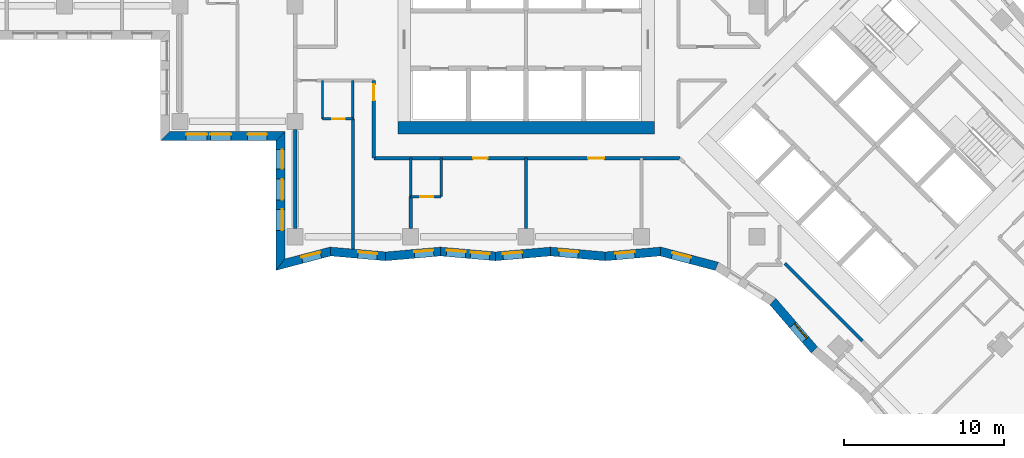
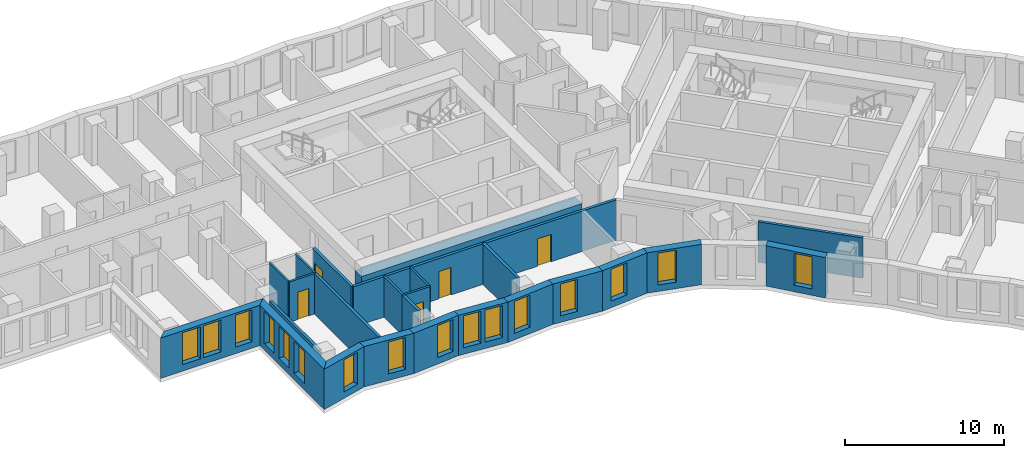
# One storey, part 2 of 12: 25 walls, 16 windows, 5 doors, 21 openings.
"""IFC4 building model written with IfcOpenShell, lengths in metres."""

import ifcopenshell
import ifcopenshell.guid

model = None  # the IFC model being written
_history = None  # IfcOwnerHistory: only IFC2X3 demands one
_inside = {}  # id of a spatial element -> (the spatial element, [elements in it])
_under = {}  # id of a project, library or spatial element -> (it, [spatial elements below it])
_declared = {}  # id of a project -> (the project, [libraries it declares])
_typed = {}  # id of a type object -> (the type object, [elements of that type])
_made_of = {}  # id of a material, layer set ... -> (it, [elements and type objects made of it])


def new_model(schema):
    """Start an empty IFC model of exactly this schema.

    Asked for "IFC4X3", IfcOpenShell would pick the latest addendum, in which some entities
    have other attributes; the version numbers below select the first issue.
    IFC2X3 requires an IfcOwnerHistory on every rooted entity: one is made here for all.
    """
    global model, _history
    if schema == "IFC4X3":
        model = ifcopenshell.file(schema_version=(4, 3, 0, 0))
    else:
        model = ifcopenshell.file(schema=schema)
    _inside.clear()
    _under.clear()
    _declared.clear()
    _typed.clear()
    _made_of.clear()
    _history = None
    if model.schema == "IFC2X3":
        org = make("IfcOrganization", Name="unknown")
        user = make(
            "IfcPersonAndOrganization",
            ThePerson=make("IfcPerson", FamilyName="unknown"),
            TheOrganization=org,
        )
        app = make(
            "IfcApplication",
            ApplicationDeveloper=org,
            Version="unknown",
            ApplicationFullName="unknown",
            ApplicationIdentifier="unknown",
        )
        _history = make(
            "IfcOwnerHistory",
            OwningUser=user,
            OwningApplication=app,
            ChangeAction="ADDED",
            CreationDate=0,
        )
    return model


def make(cls, **values):
    """One entity of the class cls with the attributes given. An attribute that is None is left unset."""
    return model.create_entity(
        cls, **{name: value for name, value in values.items() if value is not None}
    )


def rooted(cls, **values):
    """An entity with a GlobalId (a new one), such as an element, a storey or a relation."""
    return make(cls, GlobalId=ifcopenshell.guid.new(), OwnerHistory=_history, **values)


def si_unit(unit_type, name, prefix=None):
    """IfcSIUnit, for example si_unit("LENGTHUNIT", "METRE", prefix="MILLI")."""
    return make("IfcSIUnit", UnitType=unit_type, Prefix=prefix, Name=name)


def assignment(units):
    """IfcUnitAssignment: the units of a project."""
    return None if units is None else make("IfcUnitAssignment", Units=units)


def point(xyz):
    """IfcCartesianPoint."""
    return None if xyz is None else make("IfcCartesianPoint", Coordinates=xyz)


def direction(xyz):
    """IfcDirection."""
    return None if xyz is None else make("IfcDirection", DirectionRatios=xyz)


def frame(location, z_axis=None, x_axis=None):
    """IfcAxis2Placement3D, a coordinate frame: its origin and axes. An axis left out is left unset."""
    return make(
        "IfcAxis2Placement3D",
        Location=point(location),
        Axis=direction(z_axis),
        RefDirection=direction(x_axis),
    )


def frame_2d(location, x_axis=None):
    """IfcAxis2Placement2D, a coordinate frame in the plane: its origin and x axis."""
    return make(
        "IfcAxis2Placement2D", Location=point(location), RefDirection=direction(x_axis)
    )


def origin():
    """The frame at (0, 0, 0) with its axes left unset."""
    return frame((0.0, 0.0, 0.0))


def place(relative_to, where):
    """IfcLocalPlacement: puts the frame where relative to a parent placement (None: the world)."""
    return make(
        "IfcLocalPlacement", PlacementRelTo=relative_to, RelativePlacement=where
    )


def context(
    kind, dimensions, precision=None, world=None, true_north=None, identifier=None
):
    """IfcGeometricRepresentationContext, for example the 3D "Model" context."""
    return make(
        "IfcGeometricRepresentationContext",
        ContextIdentifier=identifier,
        ContextType=kind,
        CoordinateSpaceDimension=dimensions,
        Precision=precision,
        WorldCoordinateSystem=world,
        TrueNorth=true_north,
    )


def subcontext(parent, identifier, kind, view, scale=None):
    """IfcGeometricRepresentationSubContext, for example "Body" below "Model"."""
    return make(
        "IfcGeometricRepresentationSubContext",
        ContextIdentifier=identifier,
        ContextType=kind,
        ParentContext=parent,
        TargetScale=scale,
        TargetView=view,
    )


def project(units=None, contexts=None):
    """IfcProject with its units and contexts."""
    return rooted(
        "IfcProject",
        Name="project",
        RepresentationContexts=contexts,
        UnitsInContext=assignment(units),
    )


def spatial(cls, under=None, at=None, **own):
    """A site, building, storey or space (cls), placed at a placement, below another one or the project."""
    s = rooted(cls, ObjectPlacement=at, **own)
    if under is not None:
        _under.setdefault(under.id(), (under, []))[1].append(s)
    return s


def polyline(points):
    """IfcPolyline through the points."""
    return make("IfcPolyline", Points=[point(p) for p in points])


def profile(cls, at=None, kind="AREA", **sizes):
    """A parametric profile (cls). Its sizes go by their IFC names, for example OverallWidth=200.0."""
    return make(cls, ProfileType=kind, Position=at, **sizes)


def rectangle(**sizes):
    """IfcRectangleProfileDef."""
    return profile("IfcRectangleProfileDef", **sizes)


def outline(outer, holes=None, kind="AREA"):
    """IfcArbitraryClosedProfileDef: a profile drawn as a closed curve; with holes, ...WithVoids."""
    if holes is None:
        return make("IfcArbitraryClosedProfileDef", ProfileType=kind, OuterCurve=outer)
    return make(
        "IfcArbitraryProfileDefWithVoids",
        ProfileType=kind,
        OuterCurve=outer,
        InnerCurves=holes,
    )


def extrude(swept, where, along, depth):
    """IfcExtrudedAreaSolid: the profile swept, set in the frame where, extruded along a direction by depth."""
    return make(
        "IfcExtrudedAreaSolid",
        SweptArea=swept,
        Position=where,
        ExtrudedDirection=direction(along),
        Depth=depth,
    )


def shape(context_of_items, identifier, shape_type, items):
    """IfcShapeRepresentation: the items that make up one representation, for example the "Body"."""
    return make(
        "IfcShapeRepresentation",
        ContextOfItems=context_of_items,
        RepresentationIdentifier=identifier,
        RepresentationType=shape_type,
        Items=items,
    )


def material(Name=None, Category=None):
    """IfcMaterial."""
    return make("IfcMaterial", Name=Name, Category=Category)


def layer(
    of_material, thickness, ventilated=None, Name=None, Category=None, Priority=None
):
    """IfcMaterialLayer: one layer of a wall or slab, of a material (None: an air gap)."""
    return make(
        "IfcMaterialLayer",
        Material=of_material,
        LayerThickness=thickness,
        IsVentilated=ventilated,
        Name=Name,
        Category=Category,
        Priority=Priority,
    )


def layer_set(layers, Name=None):
    """IfcMaterialLayerSet."""
    return make("IfcMaterialLayerSet", MaterialLayers=layers, LayerSetName=Name)


def made_of(thing, what):
    """Note that an element or type object is made of a material, layer set ...; save() writes the relation."""
    if what is not None:
        _made_of.setdefault(what.id(), (what, []))[1].append(thing)
    return thing


def type_object(cls, material=None, **own):
    """A type object (cls), such as IfcWallType, which elements share."""
    return made_of(rooted(cls, **own), material)


def element(
    cls,
    number,
    at=None,
    inside=None,
    cuts=None,
    type_object=None,
    material=None,
    context=None,
    identifier="Body",
    shape_type=None,
    held_by="IfcProductDefinitionShape",
    body=None,
    shapes=None,
    **own,
):
    """One element of the class cls, such as IfcWall. Its Tag is "e" and its number.

    at: its placement. inside: the storey or other place that contains it. cuts: it is an
    opening in that element (IfcRelVoidsElement). A single representation is given by context,
    identifier, shape_type and body (its items); several are given by shapes. held_by: the class
    of the entity that holds the representations. save() writes the other relations.
    """
    e = rooted(cls, Tag="e%d" % number, ObjectPlacement=at, **own)
    if body is not None:
        shapes = [shape(context, identifier, shape_type, body)]
    if shapes is not None:
        e.Representation = make(held_by, Representations=shapes)
    if inside is not None:
        _inside.setdefault(inside.id(), (inside, []))[1].append(e)
    if cuts is not None:
        rooted(
            "IfcRelVoidsElement", RelatingBuildingElement=cuts, RelatedOpeningElement=e
        )
    if type_object is not None:
        _typed.setdefault(type_object.id(), (type_object, []))[1].append(e)
    return made_of(e, material)


def fill(opening, filler):
    """IfcRelFillsElement: the door or window that sits in an opening."""
    return rooted(
        "IfcRelFillsElement",
        RelatingOpeningElement=opening,
        RelatedBuildingElement=filler,
    )


def aggregate(whole, parts):
    """IfcRelAggregates: a whole, such as a stair, and the parts it consists of."""
    return rooted("IfcRelAggregates", RelatingObject=whole, RelatedObjects=parts)


def save(model, path):
    """Write the relations noted so far, then the file.

    IfcRelAggregates (storeys below a building ...), IfcRelContainedInSpatialStructure (elements
    in a storey), IfcRelDefinesByType, IfcRelAssociatesMaterial and IfcRelDeclares: one each for
    every whole, place, type object, material and project.
    """
    for whole, parts in _under.values():
        aggregate(whole, parts)
    for where, things in _inside.values():
        rooted(
            "IfcRelContainedInSpatialStructure",
            RelatedElements=things,
            RelatingStructure=where,
        )
    for kind, things in _typed.values():
        rooted("IfcRelDefinesByType", RelatedObjects=things, RelatingType=kind)
    for what, things in _made_of.values():
        rooted("IfcRelAssociatesMaterial", RelatedObjects=things, RelatingMaterial=what)
    for by, libraries in _declared.values():
        rooted("IfcRelDeclares", RelatingContext=by, RelatedDefinitions=libraries)
    model.write(path)


model = new_model("IFC4")

# Units and contexts
model_context = context("Model", 3, precision=1e-05, world=origin(), true_north=direction((0.0, 1.0)))
body_context = subcontext(model_context, "Body", "Model", "MODEL_VIEW")
ifc_project = project(units=[si_unit("LENGTHUNIT", "METRE"), si_unit("AREAUNIT", "SQUARE_METRE"), si_unit("VOLUMEUNIT", "CUBIC_METRE"), si_unit("PLANEANGLEUNIT", "RADIAN"), si_unit("MASSUNIT", "GRAM", prefix="KILO")], contexts=[model_context])

# Site, building, storey
site_placement = place(None, origin())
site = spatial("IfcSite", under=ifc_project, at=site_placement, CompositionType="ELEMENT")
building_placement = place(site_placement, origin())
building = spatial("IfcBuilding", under=site, at=building_placement, Name="Windrow Commons", CompositionType="ELEMENT")
storey_placement = place(building_placement, frame((0.0, 0.0, 81.2)))
storey = spatial("IfcBuildingStorey", under=building, at=storey_placement, Name="L21", CompositionType="ELEMENT", Elevation=81.2)

# Wall, openings, windows
ifc_material_1 = material(Name="Brick masonry, red clay brick", Category="masonry")
ifc_layer_1 = layer(ifc_material_1, 0.55)
ifc_layer_set_1 = layer_set([ifc_layer_1], Name="Brick facade wall 550")
wall_type_1 = type_object("IfcWallType", Name="Brick facade wall 550", PredefinedType="SOLIDWALL", material=ifc_layer_set_1)
wall_1_placement = place(storey_placement, frame((42.275, 49.475, 0.0), z_axis=(0.0, 0.0, 1.0), x_axis=(1.0, 0.0, 0.0)))
wall_1 = element("IfcWall", 1, at=wall_1_placement, inside=storey, type_object=wall_type_1, Name="Brick facade wall L21 42", PredefinedType="SOLIDWALL", context=body_context, shape_type="SweptSolid", body=[
    extrude(outline(polyline([(-0.275, -0.275), (6.925, -0.275), (7.475, 0.275), (0.275, 0.275), (-0.275, -0.275)])), origin(), (0.0, 0.0, 1.0), 3.1),
])
opening_1_placement = place(wall_1_placement, frame((1.325, 0.0, 0.5)))
opening_1 = element("IfcOpeningElement", 2, at=opening_1_placement, cuts=wall_1, Name="Opening W1P", PredefinedType="OPENING", context=body_context, shape_type="SweptSolid", body=[
    extrude(rectangle(XDim=1.3, YDim=2.45, at=frame_2d((0.65, 1.225))), frame((0.0, 0.285, 0.0), z_axis=(0.0, -1.0, 0.0), x_axis=(1.0, 0.0, 0.0)), (0.0, 0.0, 1.0), 0.57),
])
opening_2_placement = place(wall_1_placement, frame((2.825, 0.0, 0.5)))
opening_2 = element("IfcOpeningElement", 3, at=opening_2_placement, cuts=wall_1, Name="Opening W1P", PredefinedType="OPENING", context=body_context, shape_type="SweptSolid", body=[
    extrude(rectangle(XDim=1.3, YDim=2.45, at=frame_2d((0.65, 1.225))), frame((0.0, 0.285, 0.0), z_axis=(0.0, -1.0, 0.0), x_axis=(1.0, 0.0, 0.0)), (0.0, 0.0, 1.0), 0.57),
])
opening_3_placement = place(wall_1_placement, frame((5.1625, 0.0, 0.5)))
opening_3 = element("IfcOpeningElement", 4, at=opening_3_placement, cuts=wall_1, Name="Opening W7D", PredefinedType="OPENING", context=body_context, shape_type="SweptSolid", body=[
    extrude(rectangle(XDim=1.2, YDim=2.45, at=frame_2d((0.6, 1.225))), frame((0.0, 0.285, 0.0), z_axis=(0.0, -1.0, 0.0), x_axis=(1.0, 0.0, 0.0)), (0.0, 0.0, 1.0), 0.57),
])
ifc_material_2 = material(Name="Clear float glass in anodised aluminium frame", Category="aluminium")
window_type_1 = type_object("IfcWindowType", Name="Window W1P pair 1300x2450", PartitioningType="SINGLE_PANEL", PredefinedType="WINDOW", material=ifc_material_2)
window_1_placement = place(opening_1_placement, origin())
window_1 = element("IfcWindow", 5, at=window_1_placement, inside=storey, type_object=window_type_1, Name="Window L21 42.1A", OverallHeight=2.45, OverallWidth=1.3, PartitioningType="SINGLE_PANEL", PredefinedType="WINDOW", context=body_context, shape_type="SweptSolid", body=[
    extrude(rectangle(XDim=1.3, YDim=2.45, at=frame_2d((0.65, 1.225))), frame((0.0, 0.155, 0.0), z_axis=(0.0, -1.0, 0.0), x_axis=(1.0, 0.0, 0.0)), (0.0, 0.0, 1.0), 0.06),
])
fill(opening_1, window_1)
window_2_placement = place(opening_2_placement, origin())
window_2 = element("IfcWindow", 6, at=window_2_placement, inside=storey, type_object=window_type_1, Name="Window L21 42.1B", OverallHeight=2.45, OverallWidth=1.3, PartitioningType="SINGLE_PANEL", PredefinedType="WINDOW", context=body_context, shape_type="SweptSolid", body=[
    extrude(rectangle(XDim=1.3, YDim=2.45, at=frame_2d((0.65, 1.225))), frame((0.0, 0.155, 0.0), z_axis=(0.0, -1.0, 0.0), x_axis=(1.0, 0.0, 0.0)), (0.0, 0.0, 1.0), 0.06),
])
fill(opening_2, window_2)
ifc_material_3 = material(Name="Clear float glass in anodised aluminium frame", Category="aluminium")
window_type_2 = type_object("IfcWindowType", Name="Window W7 notch 1200x2450", PartitioningType="SINGLE_PANEL", PredefinedType="WINDOW", material=ifc_material_3)
window_3_placement = place(opening_3_placement, origin())
window_3 = element("IfcWindow", 7, at=window_3_placement, inside=storey, type_object=window_type_2, Name="Window L21 42.2", OverallHeight=2.45, OverallWidth=1.2, PartitioningType="SINGLE_PANEL", PredefinedType="WINDOW", context=body_context, shape_type="SweptSolid", body=[
    extrude(rectangle(XDim=1.2, YDim=2.45, at=frame_2d((0.6, 1.225))), frame((0.0, 0.155, 0.0), z_axis=(0.0, -1.0, 0.0), x_axis=(1.0, 0.0, 0.0)), (0.0, 0.0, 1.0), 0.06),
])
fill(opening_3, window_3)

wall_2_placement = place(storey_placement, frame((49.475, 49.475, 0.0), z_axis=(0.0, 0.0, 1.0), x_axis=(0.0, -1.0, 0.0)))
wall_2 = element("IfcWall", 8, at=wall_2_placement, inside=storey, type_object=wall_type_1, Name="Brick facade wall L21 43", PredefinedType="SOLIDWALL", context=body_context, shape_type="SweptSolid", body=[
    extrude(outline(polyline([(0.275, -0.275), (8.375, -0.275), (7.6617, 0.275), (-0.275, 0.275), (0.275, -0.275)])), origin(), (0.0, 0.0, 1.0), 3.1),
])
opening_4_placement = place(wall_2_placement, frame((2.675, 0.0, 0.5)))
opening_4 = element("IfcOpeningElement", 9, at=opening_4_placement, cuts=wall_2, Name="Opening W1P", PredefinedType="OPENING", context=body_context, shape_type="SweptSolid", body=[
    extrude(rectangle(XDim=1.3, YDim=2.45, at=frame_2d((0.65, 1.225))), frame((0.0, 0.285, 0.0), z_axis=(0.0, -1.0, 0.0), x_axis=(1.0, 0.0, 0.0)), (0.0, 0.0, 1.0), 0.57),
])
opening_5_placement = place(wall_2_placement, frame((4.575, 0.0, 0.5)))
opening_5 = element("IfcOpeningElement", 10, at=opening_5_placement, cuts=wall_2, Name="Opening W1P", PredefinedType="OPENING", context=body_context, shape_type="SweptSolid", body=[
    extrude(rectangle(XDim=1.3, YDim=2.45, at=frame_2d((0.65, 1.225))), frame((0.0, 0.285, 0.0), z_axis=(0.0, -1.0, 0.0), x_axis=(1.0, 0.0, 0.0)), (0.0, 0.0, 1.0), 0.57),
])
opening_6_placement = place(wall_2_placement, frame((0.8375, 0.0, 0.5)))
opening_6 = element("IfcOpeningElement", 11, at=opening_6_placement, cuts=wall_2, Name="Opening W7D", PredefinedType="OPENING", context=body_context, shape_type="SweptSolid", body=[
    extrude(rectangle(XDim=1.2, YDim=2.45, at=frame_2d((0.6, 1.225))), frame((0.0, 0.285, 0.0), z_axis=(0.0, -1.0, 0.0), x_axis=(1.0, 0.0, 0.0)), (0.0, 0.0, 1.0), 0.57),
])
window_4_placement = place(opening_4_placement, origin())
window_4 = element("IfcWindow", 12, at=window_4_placement, inside=storey, type_object=window_type_1, Name="Window L21 43.1A", OverallHeight=2.45, OverallWidth=1.3, PartitioningType="SINGLE_PANEL", PredefinedType="WINDOW", context=body_context, shape_type="SweptSolid", body=[
    extrude(rectangle(XDim=1.3, YDim=2.45, at=frame_2d((0.65, 1.225))), frame((0.0, 0.155, 0.0), z_axis=(0.0, -1.0, 0.0), x_axis=(1.0, 0.0, 0.0)), (0.0, 0.0, 1.0), 0.06),
])
fill(opening_4, window_4)
window_5_placement = place(opening_5_placement, origin())
window_5 = element("IfcWindow", 13, at=window_5_placement, inside=storey, type_object=window_type_1, Name="Window L21 43.1B", OverallHeight=2.45, OverallWidth=1.3, PartitioningType="SINGLE_PANEL", PredefinedType="WINDOW", context=body_context, shape_type="SweptSolid", body=[
    extrude(rectangle(XDim=1.3, YDim=2.45, at=frame_2d((0.65, 1.225))), frame((0.0, 0.155, 0.0), z_axis=(0.0, -1.0, 0.0), x_axis=(1.0, 0.0, 0.0)), (0.0, 0.0, 1.0), 0.06),
])
fill(opening_5, window_5)
window_6_placement = place(opening_6_placement, origin())
window_6 = element("IfcWindow", 14, at=window_6_placement, inside=storey, type_object=window_type_2, Name="Window L21 43.2", OverallHeight=2.45, OverallWidth=1.2, PartitioningType="SINGLE_PANEL", PredefinedType="WINDOW", context=body_context, shape_type="SweptSolid", body=[
    extrude(rectangle(XDim=1.2, YDim=2.45, at=frame_2d((0.6, 1.225))), frame((0.0, 0.155, 0.0), z_axis=(0.0, -1.0, 0.0), x_axis=(1.0, 0.0, 0.0)), (0.0, 0.0, 1.0), 0.06),
])
fill(opening_6, window_6)

# Wall, opening, window
wall_3_placement = place(storey_placement, frame((49.475, 41.4567, 0.0), z_axis=(0.0, 0.0, 1.0), x_axis=(0.9671322544, 0.2542738729, 0.0)))
wall_3 = element("IfcWall", 15, at=wall_3_placement, inside=storey, type_object=wall_type_1, Name="Brick facade wall L21 44", PredefinedType="SOLIDWALL", context=body_context, shape_type="SweptSolid", body=[
    extrude(outline(polyline([(-0.3567, -0.275), (3.1826, -0.275), (3.2783, 0.275), (0.3567, 0.275), (-0.3567, -0.275)])), origin(), (0.0, 0.0, 1.0), 3.1),
])
opening_7_placement = place(wall_3_placement, frame((1.3934, 0.0, 0.5)))
opening_7 = element("IfcOpeningElement", 16, at=opening_7_placement, cuts=wall_3, Name="Opening W7D", PredefinedType="OPENING", context=body_context, shape_type="SweptSolid", body=[
    extrude(rectangle(XDim=1.2, YDim=2.45, at=frame_2d((0.6, 1.225))), frame((0.0, 0.285, 0.0), z_axis=(0.0, -1.0, 0.0), x_axis=(1.0, 0.0, 0.0)), (0.0, 0.0, 1.0), 0.57),
])
window_7_placement = place(opening_7_placement, origin())
window_7 = element("IfcWindow", 17, at=window_7_placement, inside=storey, type_object=window_type_2, Name="Window L21 44.1", OverallHeight=2.45, OverallWidth=1.2, PartitioningType="SINGLE_PANEL", PredefinedType="WINDOW", context=body_context, shape_type="SweptSolid", body=[
    extrude(rectangle(XDim=1.2, YDim=2.45, at=frame_2d((0.6, 1.225))), frame((0.0, 0.155, 0.0), z_axis=(0.0, -1.0, 0.0), x_axis=(1.0, 0.0, 0.0)), (0.0, 0.0, 1.0), 0.06),
])
fill(opening_7, window_7)

wall_4_placement = place(storey_placement, frame((52.5992, 42.2781, 0.0), z_axis=(0.0, 0.0, 1.0), x_axis=(0.9961831061, -0.0872881385, 0.0)))
wall_4 = element("IfcWall", 18, at=wall_4_placement, inside=storey, type_object=wall_type_1, Name="Brick facade wall L21 45", PredefinedType="SOLIDWALL", context=body_context, shape_type="SweptSolid", body=[
    extrude(outline(polyline([(0.0478, -0.275), (3.4839, -0.275), (3.4357, 0.275), (-0.0478, 0.275), (0.0478, -0.275)])), origin(), (0.0, 0.0, 1.0), 3.1),
])
opening_8_placement = place(wall_4_placement, frame((1.7209, 0.0, 0.5)))
opening_8 = element("IfcOpeningElement", 19, at=opening_8_placement, cuts=wall_4, Name="Opening W7D", PredefinedType="OPENING", context=body_context, shape_type="SweptSolid", body=[
    extrude(rectangle(XDim=1.2, YDim=2.45, at=frame_2d((0.6, 1.225))), frame((0.0, 0.285, 0.0), z_axis=(0.0, -1.0, 0.0), x_axis=(1.0, 0.0, 0.0)), (0.0, 0.0, 1.0), 0.57),
])
window_8_placement = place(opening_8_placement, origin())
window_8 = element("IfcWindow", 20, at=window_8_placement, inside=storey, type_object=window_type_2, Name="Window L21 45.1", OverallHeight=2.45, OverallWidth=1.2, PartitioningType="SINGLE_PANEL", PredefinedType="WINDOW", context=body_context, shape_type="SweptSolid", body=[
    extrude(rectangle(XDim=1.2, YDim=2.45, at=frame_2d((0.6, 1.225))), frame((0.0, 0.155, 0.0), z_axis=(0.0, -1.0, 0.0), x_axis=(1.0, 0.0, 0.0)), (0.0, 0.0, 1.0), 0.06),
])
fill(opening_8, window_8)

wall_5_placement = place(storey_placement, frame((56.0458, 41.9761, 0.0), z_axis=(0.0, 0.0, 1.0), x_axis=(0.996181166, 0.0873102778, 0.0)))
wall_5 = element("IfcWall", 21, at=wall_5_placement, inside=storey, type_object=wall_type_1, Name="Brick facade wall L21 46", PredefinedType="SOLIDWALL", context=body_context, shape_type="SweptSolid", body=[
    extrude(outline(polyline([(-0.0241, -0.275), (3.4119, -0.275), (3.4601, 0.275), (0.0241, 0.275), (-0.0241, -0.275)])), origin(), (0.0, 0.0, 1.0), 3.1),
])
opening_9_placement = place(wall_5_placement, frame((1.7981, 0.0, 0.5)))
opening_9 = element("IfcOpeningElement", 22, at=opening_9_placement, cuts=wall_5, Name="Opening W7D", PredefinedType="OPENING", context=body_context, shape_type="SweptSolid", body=[
    extrude(rectangle(XDim=1.2, YDim=2.45, at=frame_2d((0.6, 1.225))), frame((0.0, 0.285, 0.0), z_axis=(0.0, -1.0, 0.0), x_axis=(1.0, 0.0, 0.0)), (0.0, 0.0, 1.0), 0.57),
])
window_9_placement = place(opening_9_placement, origin())
window_9 = element("IfcWindow", 23, at=window_9_placement, inside=storey, type_object=window_type_2, Name="Window L21 46.1", OverallHeight=2.45, OverallWidth=1.2, PartitioningType="SINGLE_PANEL", PredefinedType="WINDOW", context=body_context, shape_type="SweptSolid", body=[
    extrude(rectangle(XDim=1.2, YDim=2.45, at=frame_2d((0.6, 1.225))), frame((0.0, 0.155, 0.0), z_axis=(0.0, -1.0, 0.0), x_axis=(1.0, 0.0, 0.0)), (0.0, 0.0, 1.0), 0.06),
])
fill(opening_9, window_9)

# Wall, openings, windows
wall_6_placement = place(storey_placement, frame((59.4687, 42.2761, 0.0), z_axis=(0.0, 0.0, 1.0), x_axis=(0.996181166, -0.0873102778, 0.0)))
wall_6 = element("IfcWall", 24, at=wall_6_placement, inside=storey, type_object=wall_type_1, Name="Brick facade wall L21 47", PredefinedType="SOLIDWALL", context=body_context, shape_type="SweptSolid", body=[
    extrude(outline(polyline([(0.0241, -0.275), (3.4601, -0.275), (3.4119, 0.275), (-0.0241, 0.275), (0.0241, -0.275)])), origin(), (0.0, 0.0, 1.0), 3.1),
])
opening_10_placement = place(wall_6_placement, frame((0.369, 0.0, 0.5)))
opening_10 = element("IfcOpeningElement", 25, at=opening_10_placement, cuts=wall_6, Name="Opening W7D", PredefinedType="OPENING", context=body_context, shape_type="SweptSolid", body=[
    extrude(rectangle(XDim=1.2, YDim=2.45, at=frame_2d((0.6, 1.225))), frame((0.0, 0.285, 0.0), z_axis=(0.0, -1.0, 0.0), x_axis=(1.0, 0.0, 0.0)), (0.0, 0.0, 1.0), 0.57),
])
opening_11_placement = place(wall_6_placement, frame((1.8749, 0.0, 0.5)))
opening_11 = element("IfcOpeningElement", 26, at=opening_11_placement, cuts=wall_6, Name="Opening W7D", PredefinedType="OPENING", context=body_context, shape_type="SweptSolid", body=[
    extrude(rectangle(XDim=1.2, YDim=2.45, at=frame_2d((0.6, 1.225))), frame((0.0, 0.285, 0.0), z_axis=(0.0, -1.0, 0.0), x_axis=(1.0, 0.0, 0.0)), (0.0, 0.0, 1.0), 0.57),
])
window_10_placement = place(opening_10_placement, origin())
window_10 = element("IfcWindow", 27, at=window_10_placement, inside=storey, type_object=window_type_2, Name="Window L21 47.1", OverallHeight=2.45, OverallWidth=1.2, PartitioningType="SINGLE_PANEL", PredefinedType="WINDOW", context=body_context, shape_type="SweptSolid", body=[
    extrude(rectangle(XDim=1.2, YDim=2.45, at=frame_2d((0.6, 1.225))), frame((0.0, 0.155, 0.0), z_axis=(0.0, -1.0, 0.0), x_axis=(1.0, 0.0, 0.0)), (0.0, 0.0, 1.0), 0.06),
])
fill(opening_10, window_10)
window_11_placement = place(opening_11_placement, origin())
window_11 = element("IfcWindow", 28, at=window_11_placement, inside=storey, type_object=window_type_2, Name="Window L21 47.2", OverallHeight=2.45, OverallWidth=1.2, PartitioningType="SINGLE_PANEL", PredefinedType="WINDOW", context=body_context, shape_type="SweptSolid", body=[
    extrude(rectangle(XDim=1.2, YDim=2.45, at=frame_2d((0.6, 1.225))), frame((0.0, 0.155, 0.0), z_axis=(0.0, -1.0, 0.0), x_axis=(1.0, 0.0, 0.0)), (0.0, 0.0, 1.0), 0.06),
])
fill(opening_11, window_11)

# Wall, opening, window
wall_7_placement = place(storey_placement, frame((62.8916, 41.9761, 0.0), z_axis=(0.0, 0.0, 1.0), x_axis=(0.9961809441, 0.0873128092, 0.0)))
wall_7 = element("IfcWall", 29, at=wall_7_placement, inside=storey, type_object=wall_type_1, Name="Brick facade wall L21 48", PredefinedType="SOLIDWALL", context=body_context, shape_type="SweptSolid", body=[
    extrude(outline(polyline([(-0.0241, -0.275), (3.4119, -0.275), (3.4601, 0.275), (0.0241, 0.275), (-0.0241, -0.275)])), origin(), (0.0, 0.0, 1.0), 3.1),
])
opening_12_placement = place(wall_7_placement, frame((0.4699, 0.0, 0.5)))
opening_12 = element("IfcOpeningElement", 30, at=opening_12_placement, cuts=wall_7, Name="Opening W7D", PredefinedType="OPENING", context=body_context, shape_type="SweptSolid", body=[
    extrude(rectangle(XDim=1.2, YDim=2.45, at=frame_2d((0.6, 1.225))), frame((0.0, 0.285, 0.0), z_axis=(0.0, -1.0, 0.0), x_axis=(1.0, 0.0, 0.0)), (0.0, 0.0, 1.0), 0.57),
])
window_12_placement = place(opening_12_placement, origin())
window_12 = element("IfcWindow", 31, at=window_12_placement, inside=storey, type_object=window_type_2, Name="Window L21 48.1", OverallHeight=2.45, OverallWidth=1.2, PartitioningType="SINGLE_PANEL", PredefinedType="WINDOW", context=body_context, shape_type="SweptSolid", body=[
    extrude(rectangle(XDim=1.2, YDim=2.45, at=frame_2d((0.6, 1.225))), frame((0.0, 0.155, 0.0), z_axis=(0.0, -1.0, 0.0), x_axis=(1.0, 0.0, 0.0)), (0.0, 0.0, 1.0), 0.06),
])
fill(opening_12, window_12)

wall_8_placement = place(storey_placement, frame((66.3144, 42.2761, 0.0), z_axis=(0.0, 0.0, 1.0), x_axis=(0.996181166, -0.0873102778, 0.0)))
wall_8 = element("IfcWall", 32, at=wall_8_placement, inside=storey, type_object=wall_type_1, Name="Brick facade wall L21 49", PredefinedType="SOLIDWALL", context=body_context, shape_type="SweptSolid", body=[
    extrude(outline(polyline([(0.0241, -0.275), (3.4601, -0.275), (3.4119, 0.275), (-0.0241, 0.275), (0.0241, -0.275)])), origin(), (0.0, 0.0, 1.0), 3.1),
])
opening_13_placement = place(wall_8_placement, frame((0.5468, 0.0, 0.5)))
opening_13 = element("IfcOpeningElement", 33, at=opening_13_placement, cuts=wall_8, Name="Opening W7D", PredefinedType="OPENING", context=body_context, shape_type="SweptSolid", body=[
    extrude(rectangle(XDim=1.2, YDim=2.45, at=frame_2d((0.6, 1.225))), frame((0.0, 0.285, 0.0), z_axis=(0.0, -1.0, 0.0), x_axis=(1.0, 0.0, 0.0)), (0.0, 0.0, 1.0), 0.57),
])
window_13_placement = place(opening_13_placement, origin())
window_13 = element("IfcWindow", 34, at=window_13_placement, inside=storey, type_object=window_type_2, Name="Window L21 49.1", OverallHeight=2.45, OverallWidth=1.2, PartitioningType="SINGLE_PANEL", PredefinedType="WINDOW", context=body_context, shape_type="SweptSolid", body=[
    extrude(rectangle(XDim=1.2, YDim=2.45, at=frame_2d((0.6, 1.225))), frame((0.0, 0.155, 0.0), z_axis=(0.0, -1.0, 0.0), x_axis=(1.0, 0.0, 0.0)), (0.0, 0.0, 1.0), 0.06),
])
fill(opening_13, window_13)

wall_9_placement = place(storey_placement, frame((69.7373, 41.9761, 0.0), z_axis=(0.0, 0.0, 1.0), x_axis=(0.9961831061, 0.0872881385, 0.0)))
wall_9 = element("IfcWall", 35, at=wall_9_placement, inside=storey, type_object=wall_type_1, Name="Brick facade wall L21 50", PredefinedType="SOLIDWALL", context=body_context, shape_type="SweptSolid", body=[
    extrude(outline(polyline([(-0.0241, -0.275), (3.4119, -0.275), (3.5076, 0.275), (0.0241, 0.275), (-0.0241, -0.275)])), origin(), (0.0, 0.0, 1.0), 3.1),
])
opening_14_placement = place(wall_9_placement, frame((0.6477, 0.0, 0.5)))
opening_14 = element("IfcOpeningElement", 36, at=opening_14_placement, cuts=wall_9, Name="Opening W7D", PredefinedType="OPENING", context=body_context, shape_type="SweptSolid", body=[
    extrude(rectangle(XDim=1.2, YDim=2.45, at=frame_2d((0.6, 1.225))), frame((0.0, 0.285, 0.0), z_axis=(0.0, -1.0, 0.0), x_axis=(1.0, 0.0, 0.0)), (0.0, 0.0, 1.0), 0.57),
])
window_14_placement = place(opening_14_placement, origin())
window_14 = element("IfcWindow", 37, at=window_14_placement, inside=storey, type_object=window_type_2, Name="Window L21 50.1", OverallHeight=2.45, OverallWidth=1.2, PartitioningType="SINGLE_PANEL", PredefinedType="WINDOW", context=body_context, shape_type="SweptSolid", body=[
    extrude(rectangle(XDim=1.2, YDim=2.45, at=frame_2d((0.6, 1.225))), frame((0.0, 0.155, 0.0), z_axis=(0.0, -1.0, 0.0), x_axis=(1.0, 0.0, 0.0)), (0.0, 0.0, 1.0), 0.06),
])
fill(opening_14, window_14)

wall_10_placement = place(storey_placement, frame((73.1839, 42.2781, 0.0), z_axis=(0.0, 0.0, 1.0), x_axis=(0.967125914, -0.2542979874, 0.0)))
wall_10 = element("IfcWall", 38, at=wall_10_placement, inside=storey, type_object=wall_type_1, Name="Brick facade wall L21 51", PredefinedType="SOLIDWALL", context=body_context, shape_type="SweptSolid", body=[
    extrude(outline(polyline([(0.0478, -0.275), (3.5871, -0.275), (3.6714, 0.275), (-0.0478, 0.275), (0.0478, -0.275)])), origin(), (0.0, 0.0, 1.0), 3.1),
])
opening_15_placement = place(wall_10_placement, frame((0.7491, 0.0, 0.5)))
opening_15 = element("IfcOpeningElement", 39, at=opening_15_placement, cuts=wall_10, Name="Opening W7D", PredefinedType="OPENING", context=body_context, shape_type="SweptSolid", body=[
    extrude(rectangle(XDim=1.2, YDim=2.45, at=frame_2d((0.6, 1.225))), frame((0.0, 0.285, 0.0), z_axis=(0.0, -1.0, 0.0), x_axis=(1.0, 0.0, 0.0)), (0.0, 0.0, 1.0), 0.57),
])
window_15_placement = place(opening_15_placement, origin())
window_15 = element("IfcWindow", 40, at=window_15_placement, inside=storey, type_object=window_type_2, Name="Window L21 51.1", OverallHeight=2.45, OverallWidth=1.2, PartitioningType="SINGLE_PANEL", PredefinedType="WINDOW", context=body_context, shape_type="SweptSolid", body=[
    extrude(rectangle(XDim=1.2, YDim=2.45, at=frame_2d((0.6, 1.225))), frame((0.0, 0.155, 0.0), z_axis=(0.0, -1.0, 0.0), x_axis=(1.0, 0.0, 0.0)), (0.0, 0.0, 1.0), 0.06),
])
fill(opening_15, window_15)

wall_11_placement = place(storey_placement, frame((80.1942, 39.1539, 0.0), z_axis=(0.0, 0.0, 1.0), x_axis=(0.6515376316, -0.7586163158, 0.0)))
wall_11 = element("IfcWall", 41, at=wall_11_placement, inside=storey, type_object=wall_type_1, Name="Brick facade wall L21 53", PredefinedType="SOLIDWALL", context=body_context, shape_type="SweptSolid", body=[
    extrude(outline(polyline([(0.0415, -0.275), (4.003, -0.275), (3.9612, 0.275), (-0.0415, 0.275), (0.0415, -0.275)])), origin(), (0.0, 0.0, 1.0), 3.1),
])
opening_16_placement = place(wall_11_placement, frame((1.9181, 0.0, 0.5)))
opening_16 = element("IfcOpeningElement", 42, at=opening_16_placement, cuts=wall_11, Name="Opening W7D", PredefinedType="OPENING", context=body_context, shape_type="SweptSolid", body=[
    extrude(rectangle(XDim=1.2, YDim=2.45, at=frame_2d((0.6, 1.225))), frame((0.0, 0.285, 0.0), z_axis=(0.0, -1.0, 0.0), x_axis=(1.0, 0.0, 0.0)), (0.0, 0.0, 1.0), 0.57),
])
window_16_placement = place(opening_16_placement, origin())
window_16 = element("IfcWindow", 43, at=window_16_placement, inside=storey, type_object=window_type_2, Name="Window L21 53.1", OverallHeight=2.45, OverallWidth=1.2, PartitioningType="SINGLE_PANEL", PredefinedType="WINDOW", context=body_context, shape_type="SweptSolid", body=[
    extrude(rectangle(XDim=1.2, YDim=2.45, at=frame_2d((0.6, 1.225))), frame((0.0, 0.155, 0.0), z_axis=(0.0, -1.0, 0.0), x_axis=(1.0, 0.0, 0.0)), (0.0, 0.0, 1.0), 0.06),
])
fill(opening_16, window_16)

# Wall, openings, doors
ifc_material_4 = material(Name="Blockwork partition", Category="masonry")
ifc_layer_2 = layer(ifc_material_4, 0.2)
ifc_layer_set_2 = layer_set([ifc_layer_2], Name="IW-CORRIDOR-200")
wall_type_2 = type_object("IfcWallType", Name="IW-CORRIDOR-200", PredefinedType="PARTITIONING", material=ifc_layer_set_2)
wall_12_placement = place(storey_placement, frame((55.3, 48.1, 0.0), z_axis=(0.0, 0.0, 1.0), x_axis=(1.0, 0.0, 0.0)))
wall_12 = element("IfcWall", 44, at=wall_12_placement, inside=storey, type_object=wall_type_2, Name="W-L21-W002", PredefinedType="PARTITIONING", context=body_context, shape_type="SweptSolid", body=[
    extrude(rectangle(XDim=19.092, YDim=0.2, at=frame_2d((9.546, 0.0))), origin(), (0.0, 0.0, 1.0), 3.1),
])
opening_17_placement = place(wall_12_placement, frame((6.1994, 0.0, 0.0)))
opening_17 = element("IfcOpeningElement", 45, at=opening_17_placement, cuts=wall_12, Name="Opening D109F", PredefinedType="OPENING", context=body_context, shape_type="SweptSolid", body=[
    extrude(rectangle(XDim=0.9, YDim=2.1, at=frame_2d((0.45, 1.05))), frame((0.0, 0.11, 0.0), z_axis=(0.0, -1.0, 0.0), x_axis=(1.0, 0.0, 0.0)), (0.0, 0.0, 1.0), 0.22),
])
opening_18_placement = place(wall_12_placement, frame((13.3625, 0.0, 0.0)))
opening_18 = element("IfcOpeningElement", 46, at=opening_18_placement, cuts=wall_12, Name="Opening D310F", PredefinedType="OPENING", context=body_context, shape_type="SweptSolid", body=[
    extrude(rectangle(XDim=1.0, YDim=2.1, at=frame_2d((0.5, 1.05))), frame((0.0, 0.11, 0.0), z_axis=(0.0, -1.0, 0.0), x_axis=(1.0, 0.0, 0.0)), (0.0, 0.0, 1.0), 0.22),
])
ifc_material_5 = material(Name="Timber door leaf", Category="wood")
door_type_1 = type_object("IfcDoorType", Name="DT-AMENITY-1000", OperationType="SINGLE_SWING_LEFT", PredefinedType="DOOR", material=ifc_material_5)
door_1_placement = place(opening_18_placement, origin())
door_1 = element("IfcDoor", 47, at=door_1_placement, inside=storey, type_object=door_type_1, Name="D-L21-D036", OperationType="SINGLE_SWING_LEFT", OverallHeight=2.1, OverallWidth=1.0, PredefinedType="DOOR", context=body_context, shape_type="SweptSolid", body=[
    extrude(rectangle(XDim=1.0, YDim=2.1, at=frame_2d((0.5, 1.05))), frame((0.0, 0.025, 0.0), z_axis=(0.0, -1.0, 0.0), x_axis=(1.0, 0.0, 0.0)), (0.0, 0.0, 1.0), 0.05),
])
fill(opening_18, door_1)
ifc_material_6 = material(Name="Timber door leaf", Category="wood")
door_type_2 = type_object("IfcDoorType", Name="DT-BEDROOM-900", OperationType="SINGLE_SWING_LEFT", PredefinedType="DOOR", material=ifc_material_6)
door_2_placement = place(opening_17_placement, origin())
door_2 = element("IfcDoor", 48, at=door_2_placement, inside=storey, type_object=door_type_2, Name="D-L21-D034", OperationType="SINGLE_SWING_LEFT", OverallHeight=2.1, OverallWidth=0.9, PredefinedType="DOOR", context=body_context, shape_type="SweptSolid", body=[
    extrude(rectangle(XDim=0.9, YDim=2.1, at=frame_2d((0.45, 1.05))), frame((0.0, 0.025, 0.0), z_axis=(0.0, -1.0, 0.0), x_axis=(1.0, 0.0, 0.0)), (0.0, 0.0, 1.0), 0.05),
])
fill(opening_17, door_2)

# Wall
wall_13_placement = place(storey_placement, frame((80.9485, 41.5365, 0.0), z_axis=(0.0, 0.0, 1.0), x_axis=(0.7071067812, -0.7071067812, 0.0)))
element("IfcWall", 49, at=wall_13_placement, inside=storey, type_object=wall_type_2, Name="W-L21-W022", PredefinedType="PARTITIONING", context=body_context, shape_type="SweptSolid", body=[
    extrude(rectangle(XDim=6.8222, YDim=0.2, at=frame_2d((3.4111, 0.0))), origin(), (0.0, 0.0, 1.0), 3.1),
])

# Wall, opening, door
wall_14_placement = place(storey_placement, frame((55.3, 48.1, 0.0), z_axis=(0.0, 0.0, 1.0), x_axis=(0.0, 1.0, 0.0)))
wall_14 = element("IfcWall", 50, at=wall_14_placement, inside=storey, type_object=wall_type_2, Name="W-L21-W040", PredefinedType="PARTITIONING", context=body_context, shape_type="SweptSolid", body=[
    extrude(rectangle(XDim=4.85, YDim=0.2, at=frame_2d((2.425, 0.0))), origin(), (0.0, 0.0, 1.0), 3.1),
])
opening_19_placement = place(wall_14_placement, frame((3.599, 0.0, 0.0)))
opening_19 = element("IfcOpeningElement", 51, at=opening_19_placement, cuts=wall_14, Name="Opening D310F", PredefinedType="OPENING", context=body_context, shape_type="SweptSolid", body=[
    extrude(rectangle(XDim=1.0, YDim=2.1, at=frame_2d((0.5, 1.05))), frame((0.0, 0.11, 0.0), z_axis=(0.0, -1.0, 0.0), x_axis=(1.0, 0.0, 0.0)), (0.0, 0.0, 1.0), 0.22),
])
door_3_placement = place(opening_19_placement, origin())
door_3 = element("IfcDoor", 52, at=door_3_placement, inside=storey, type_object=door_type_1, Name="D-L21-D033", OperationType="SINGLE_SWING_RIGHT", OverallHeight=2.1, OverallWidth=1.0, PredefinedType="DOOR", context=body_context, shape_type="SweptSolid", body=[
    extrude(rectangle(XDim=1.0, YDim=2.1, at=frame_2d((0.5, 1.05))), frame((0.0, 0.025, 0.0), z_axis=(0.0, -1.0, 0.0), x_axis=(1.0, 0.0, 0.0)), (0.0, 0.0, 1.0), 0.05),
])
fill(opening_19, door_3)

# Walls
ifc_material_7 = material(Name="Blockwork partition", Category="masonry")
ifc_layer_3 = layer(ifc_material_7, 0.15)
ifc_layer_set_3 = layer_set([ifc_layer_3], Name="IW-ENSUITE-150")
wall_type_3 = type_object("IfcWallType", Name="IW-ENSUITE-150", PredefinedType="PARTITIONING", material=ifc_layer_set_3)
for number, where, z_axis, x_axis, name in (
    (53, (52.1, 50.55, 0.0), (0.0, 0.0, 1.0), (0.0, 1.0, 0.0), "W-L21-W079"),
    (54, (54.0, 50.55, 0.0), (0.0, 0.0, 1.0), (0.0, 1.0, 0.0), "W-L21-W081"),
    (55, (59.5, 45.7, 0.0), (0.0, 0.0, 1.0), (0.0, 1.0, 0.0), "W-L21-W089"),
    (56, (57.6, 45.7, 0.0), (0.0, 0.0, 1.0), (0.0, 1.0, 0.0), "W-L21-W090"),
):
    element("IfcWall", number, at=place(storey_placement, frame(where, z_axis=z_axis, x_axis=x_axis)), inside=storey, type_object=wall_type_3, Name=name, PredefinedType="PARTITIONING", context=body_context, shape_type="SweptSolid", body=[
        extrude(rectangle(XDim=2.4, YDim=0.15, at=frame_2d((1.2, 0.0))), origin(), (0.0, 0.0, 1.0), 3.1),
    ])

# Wall, opening, door
wall_15_placement = place(storey_placement, frame((52.1, 50.55, 0.0), z_axis=(0.0, 0.0, 1.0), x_axis=(1.0, 0.0, 0.0)))
wall_15 = element("IfcWall", 57, at=wall_15_placement, inside=storey, type_object=wall_type_3, Name="W-L21-W129", PredefinedType="PARTITIONING", context=body_context, shape_type="SweptSolid", body=[
    extrude(rectangle(XDim=1.9, YDim=0.15, at=frame_2d((0.95, 0.0))), origin(), (0.0, 0.0, 1.0), 3.1),
])
opening_20_placement = place(wall_15_placement, frame((0.5979, 0.0, 0.0)))
opening_20 = element("IfcOpeningElement", 58, at=opening_20_placement, cuts=wall_15, Name="Opening D208N", PredefinedType="OPENING", context=body_context, shape_type="SweptSolid", body=[
    extrude(rectangle(XDim=0.8, YDim=2.1, at=frame_2d((0.4, 1.05))), frame((0.0, 0.085, 0.0), z_axis=(0.0, -1.0, 0.0), x_axis=(1.0, 0.0, 0.0)), (0.0, 0.0, 1.0), 0.17),
])
ifc_material_8 = material(Name="Timber door leaf", Category="wood")
door_type_3 = type_object("IfcDoorType", Name="DT-ENSUITE-800", OperationType="SINGLE_SWING_LEFT", PredefinedType="DOOR", material=ifc_material_8)
door_4_placement = place(opening_20_placement, origin())
door_4 = element("IfcDoor", 59, at=door_4_placement, inside=storey, type_object=door_type_3, Name="D-L21-D032", OperationType="SINGLE_SWING_RIGHT", OverallHeight=2.1, OverallWidth=0.8, PredefinedType="DOOR", context=body_context, shape_type="SweptSolid", body=[
    extrude(rectangle(XDim=0.8, YDim=2.1, at=frame_2d((0.4, 1.05))), frame((0.0, 0.025, 0.0), z_axis=(0.0, -1.0, 0.0), x_axis=(1.0, 0.0, 0.0)), (0.0, 0.0, 1.0), 0.05),
])
fill(opening_20, door_4)

wall_16_placement = place(storey_placement, frame((57.6, 45.7, 0.0), z_axis=(0.0, 0.0, 1.0), x_axis=(1.0, 0.0, 0.0)))
wall_16 = element("IfcWall", 60, at=wall_16_placement, inside=storey, type_object=wall_type_3, Name="W-L21-W130", PredefinedType="PARTITIONING", context=body_context, shape_type="SweptSolid", body=[
    extrude(rectangle(XDim=1.9, YDim=0.15, at=frame_2d((0.95, 0.0))), origin(), (0.0, 0.0, 1.0), 3.1),
])
opening_21_placement = place(wall_16_placement, frame((0.6069, 0.0, 0.0)))
opening_21 = element("IfcOpeningElement", 61, at=opening_21_placement, cuts=wall_16, Name="Opening D208N", PredefinedType="OPENING", context=body_context, shape_type="SweptSolid", body=[
    extrude(rectangle(XDim=0.8, YDim=2.1, at=frame_2d((0.4, 1.05))), frame((0.0, 0.085, 0.0), z_axis=(0.0, -1.0, 0.0), x_axis=(1.0, 0.0, 0.0)), (0.0, 0.0, 1.0), 0.17),
])
door_5_placement = place(opening_21_placement, origin())
door_5 = element("IfcDoor", 62, at=door_5_placement, inside=storey, type_object=door_type_3, Name="D-L21-D035", OperationType="SINGLE_SWING_RIGHT", OverallHeight=2.1, OverallWidth=0.8, PredefinedType="DOOR", context=body_context, shape_type="SweptSolid", body=[
    extrude(rectangle(XDim=0.8, YDim=2.1, at=frame_2d((0.4, 1.05))), frame((0.0, 0.025, 0.0), z_axis=(0.0, -1.0, 0.0), x_axis=(1.0, 0.0, 0.0)), (0.0, 0.0, 1.0), 0.05),
])
fill(opening_21, door_5)

# Walls
ifc_material_9 = material(Name="Blockwork partition", Category="masonry")
ifc_layer_4 = layer(ifc_material_9, 0.2)
ifc_layer_set_4 = layer_set([ifc_layer_4], Name="IW-PARTY-200")
wall_type_4 = type_object("IfcWallType", Name="IW-PARTY-200", PredefinedType="PARTITIONING", material=ifc_layer_set_4)
wall_17_placement = place(storey_placement, frame((54.0, 42.4314, 0.0), z_axis=(0.0, 0.0, 1.0), x_axis=(0.0, 1.0, 0.0)))
element("IfcWall", 63, at=wall_17_placement, inside=storey, type_object=wall_type_4, Name="W-L21-W013", PredefinedType="PARTITIONING", context=body_context, shape_type="SweptSolid", body=[
    extrude(rectangle(XDim=8.1186, YDim=0.2, at=frame_2d((4.0593, 0.0))), origin(), (0.0, 0.0, 1.0), 3.1),
])
wall_18_placement = place(storey_placement, frame((50.4, 43.7, 0.0), z_axis=(0.0, 0.0, 1.0), x_axis=(0.0, 1.0, 0.0)))
element("IfcWall", 64, at=wall_18_placement, inside=storey, type_object=wall_type_4, Name="W-L21-W028", PredefinedType="PARTITIONING", context=body_context, shape_type="SweptSolid", body=[
    extrude(rectangle(XDim=6.2, YDim=0.2, at=frame_2d((3.1, 0.0))), origin(), (0.0, 0.0, 1.0), 2.6),
])
wall_19_placement = place(storey_placement, frame((64.8, 43.7, 0.0), z_axis=(0.0, 0.0, 1.0), x_axis=(0.0, 1.0, 0.0)))
element("IfcWall", 65, at=wall_19_placement, inside=storey, type_object=wall_type_4, Name="W-L21-W047", PredefinedType="PARTITIONING", context=body_context, shape_type="SweptSolid", body=[
    extrude(rectangle(XDim=4.4, YDim=0.2, at=frame_2d((2.2, 0.0))), origin(), (0.0, 0.0, 1.0), 3.1),
])
wall_20_placement = place(storey_placement, frame((57.6, 43.7, 0.0), z_axis=(0.0, 0.0, 1.0), x_axis=(0.0, 1.0, 0.0)))
element("IfcWall", 66, at=wall_20_placement, inside=storey, type_object=wall_type_4, Name="W-L21-W118", PredefinedType="PARTITIONING", context=body_context, shape_type="SweptSolid", body=[
    extrude(rectangle(XDim=2.0, YDim=0.2, at=frame_2d((1.0, 0.0))), origin(), (0.0, 0.0, 1.0), 3.1),
])
ifc_material_10 = material(Name="Concrete C50/60", Category="concrete")
ifc_layer_5 = layer(ifc_material_10, 0.8)
ifc_layer_set_5 = layer_set([ifc_layer_5], Name="RC CORE WALL 800 C50/60")
wall_type_5 = type_object("IfcWallType", Name="RC CORE WALL 800 C50/60", PredefinedType="SHEAR", material=ifc_layer_set_5)
wall_21_placement = place(storey_placement, frame((56.8, 50.0, -0.3), z_axis=(0.0, 0.0, 1.0), x_axis=(1.0, 0.0, 0.0)))
element("IfcWall", 67, at=wall_21_placement, inside=storey, type_object=wall_type_5, Name="Core A wall outer-S", PredefinedType="SHEAR", context=body_context, shape_type="SweptSolid", body=[
    extrude(rectangle(XDim=16.0, YDim=0.8, at=frame_2d((8.0, 0.0))), origin(), (0.0, 0.0, 1.0), 2.7),
])

save(model, "model.ifc")
